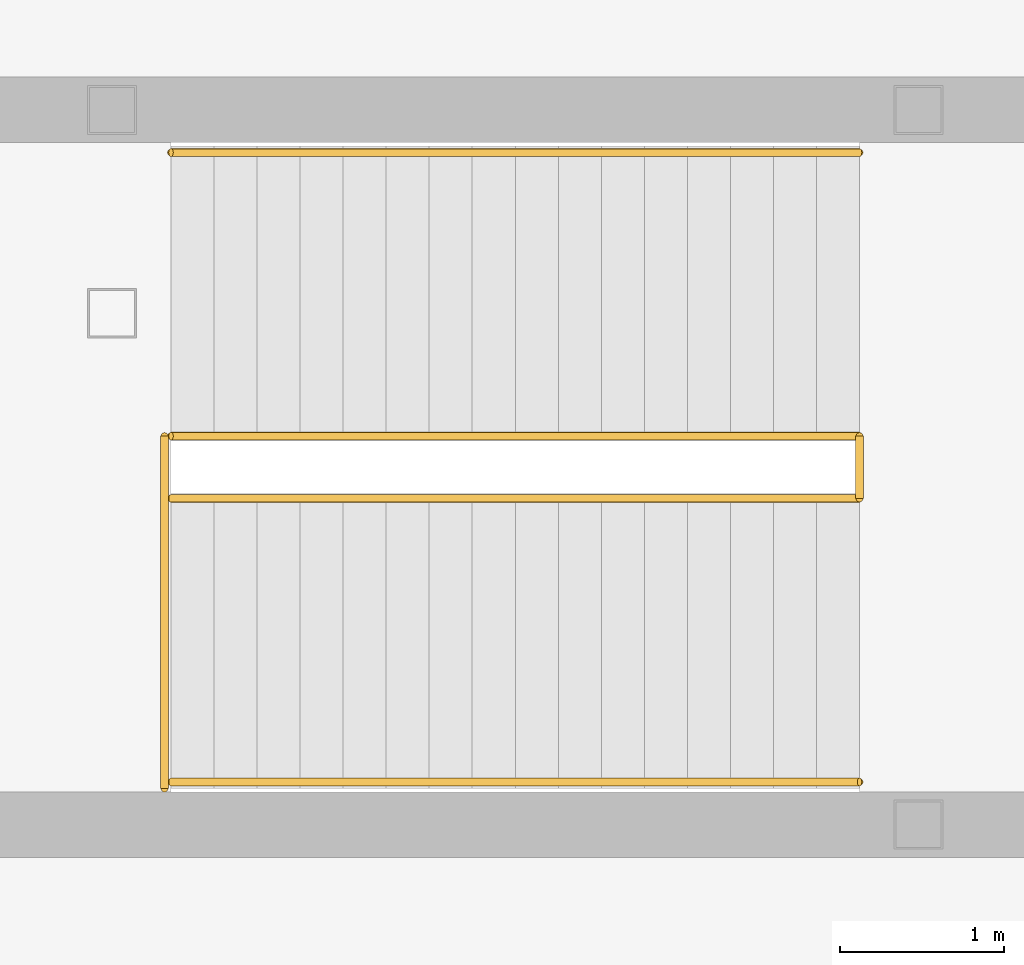
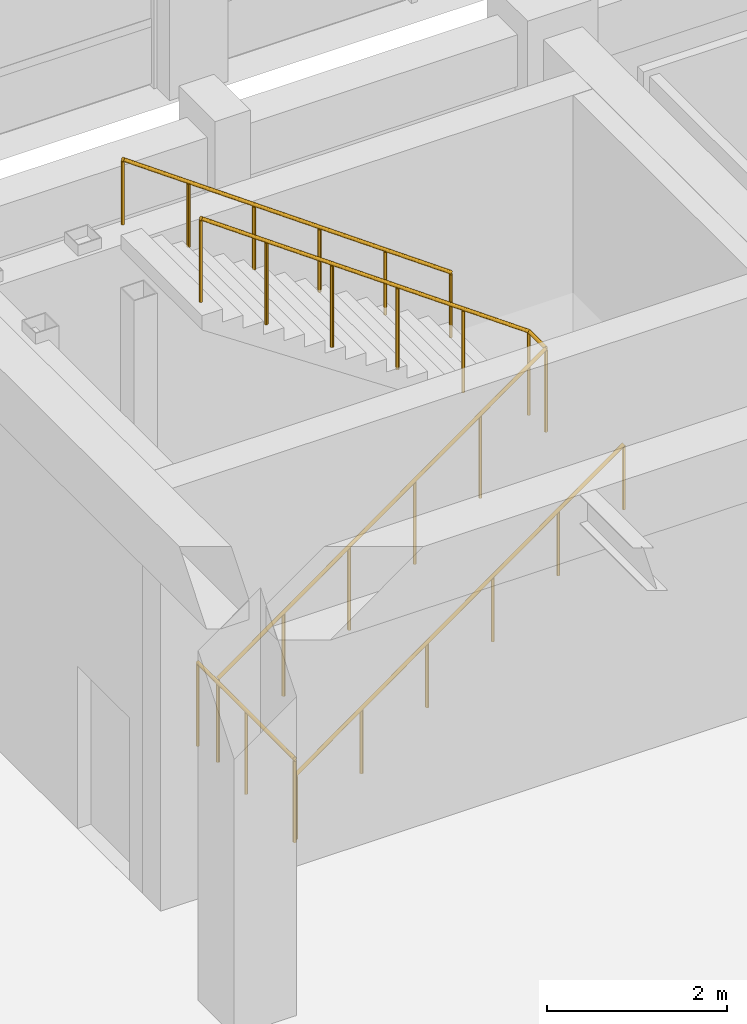
# One storey, part 68 of 76: 6 railings.
"""IFC4 building model written with IfcOpenShell, lengths in metres."""

import ifcopenshell
import ifcopenshell.guid

model = None  # the IFC model being written
_history = None  # IfcOwnerHistory: only IFC2X3 demands one
_inside = {}  # id of a spatial element -> (the spatial element, [elements in it])
_under = {}  # id of a project, library or spatial element -> (it, [spatial elements below it])
_declared = {}  # id of a project -> (the project, [libraries it declares])
_typed = {}  # id of a type object -> (the type object, [elements of that type])
_made_of = {}  # id of a material, layer set ... -> (it, [elements and type objects made of it])


def new_model(schema):
    """Start an empty IFC model of exactly this schema.

    Asked for "IFC4X3", IfcOpenShell would pick the latest addendum, in which some entities
    have other attributes; the version numbers below select the first issue.
    IFC2X3 requires an IfcOwnerHistory on every rooted entity: one is made here for all.
    """
    global model, _history
    if schema == "IFC4X3":
        model = ifcopenshell.file(schema_version=(4, 3, 0, 0))
    else:
        model = ifcopenshell.file(schema=schema)
    _inside.clear()
    _under.clear()
    _declared.clear()
    _typed.clear()
    _made_of.clear()
    _history = None
    if model.schema == "IFC2X3":
        org = make("IfcOrganization", Name="unknown")
        user = make(
            "IfcPersonAndOrganization",
            ThePerson=make("IfcPerson", FamilyName="unknown"),
            TheOrganization=org,
        )
        app = make(
            "IfcApplication",
            ApplicationDeveloper=org,
            Version="unknown",
            ApplicationFullName="unknown",
            ApplicationIdentifier="unknown",
        )
        _history = make(
            "IfcOwnerHistory",
            OwningUser=user,
            OwningApplication=app,
            ChangeAction="ADDED",
            CreationDate=0,
        )
    return model


def make(cls, **values):
    """One entity of the class cls with the attributes given. An attribute that is None is left unset."""
    return model.create_entity(
        cls, **{name: value for name, value in values.items() if value is not None}
    )


def rooted(cls, **values):
    """An entity with a GlobalId (a new one), such as an element, a storey or a relation."""
    return make(cls, GlobalId=ifcopenshell.guid.new(), OwnerHistory=_history, **values)


def si_unit(unit_type, name, prefix=None):
    """IfcSIUnit, for example si_unit("LENGTHUNIT", "METRE", prefix="MILLI")."""
    return make("IfcSIUnit", UnitType=unit_type, Prefix=prefix, Name=name)


def assignment(units):
    """IfcUnitAssignment: the units of a project."""
    return None if units is None else make("IfcUnitAssignment", Units=units)


def point(xyz):
    """IfcCartesianPoint."""
    return None if xyz is None else make("IfcCartesianPoint", Coordinates=xyz)


def direction(xyz):
    """IfcDirection."""
    return None if xyz is None else make("IfcDirection", DirectionRatios=xyz)


def frame(location, z_axis=None, x_axis=None):
    """IfcAxis2Placement3D, a coordinate frame: its origin and axes. An axis left out is left unset."""
    return make(
        "IfcAxis2Placement3D",
        Location=point(location),
        Axis=direction(z_axis),
        RefDirection=direction(x_axis),
    )


def frame_2d(location, x_axis=None):
    """IfcAxis2Placement2D, a coordinate frame in the plane: its origin and x axis."""
    return make(
        "IfcAxis2Placement2D", Location=point(location), RefDirection=direction(x_axis)
    )


def origin():
    """The frame at (0, 0, 0) with its axes left unset."""
    return frame((0.0, 0.0, 0.0))


def origin_2d():
    """The frame at (0, 0) in the plane with its x axis left unset."""
    return frame_2d((0.0, 0.0))


def place(relative_to, where):
    """IfcLocalPlacement: puts the frame where relative to a parent placement (None: the world)."""
    return make(
        "IfcLocalPlacement", PlacementRelTo=relative_to, RelativePlacement=where
    )


def context(
    kind, dimensions, precision=None, world=None, true_north=None, identifier=None
):
    """IfcGeometricRepresentationContext, for example the 3D "Model" context."""
    return make(
        "IfcGeometricRepresentationContext",
        ContextIdentifier=identifier,
        ContextType=kind,
        CoordinateSpaceDimension=dimensions,
        Precision=precision,
        WorldCoordinateSystem=world,
        TrueNorth=true_north,
    )


def subcontext(parent, identifier, kind, view, scale=None):
    """IfcGeometricRepresentationSubContext, for example "Body" below "Model"."""
    return make(
        "IfcGeometricRepresentationSubContext",
        ContextIdentifier=identifier,
        ContextType=kind,
        ParentContext=parent,
        TargetScale=scale,
        TargetView=view,
    )


def project(units=None, contexts=None):
    """IfcProject with its units and contexts."""
    return rooted(
        "IfcProject",
        Name="project",
        RepresentationContexts=contexts,
        UnitsInContext=assignment(units),
    )


def spatial(cls, under=None, at=None, **own):
    """A site, building, storey or space (cls), placed at a placement, below another one or the project."""
    s = rooted(cls, ObjectPlacement=at, **own)
    if under is not None:
        _under.setdefault(under.id(), (under, []))[1].append(s)
    return s


def profile(cls, at=None, kind="AREA", **sizes):
    """A parametric profile (cls). Its sizes go by their IFC names, for example OverallWidth=200.0."""
    return make(cls, ProfileType=kind, Position=at, **sizes)


def circle(**sizes):
    """IfcCircleProfileDef."""
    return profile("IfcCircleProfileDef", **sizes)


def extrude(swept, where, along, depth):
    """IfcExtrudedAreaSolid: the profile swept, set in the frame where, extruded along a direction by depth."""
    return make(
        "IfcExtrudedAreaSolid",
        SweptArea=swept,
        Position=where,
        ExtrudedDirection=direction(along),
        Depth=depth,
    )


def shape(context_of_items, identifier, shape_type, items):
    """IfcShapeRepresentation: the items that make up one representation, for example the "Body"."""
    return make(
        "IfcShapeRepresentation",
        ContextOfItems=context_of_items,
        RepresentationIdentifier=identifier,
        RepresentationType=shape_type,
        Items=items,
    )


def material(Name=None, Category=None):
    """IfcMaterial."""
    return make("IfcMaterial", Name=Name, Category=Category)


def layer(
    of_material, thickness, ventilated=None, Name=None, Category=None, Priority=None
):
    """IfcMaterialLayer: one layer of a wall or slab, of a material (None: an air gap)."""
    return make(
        "IfcMaterialLayer",
        Material=of_material,
        LayerThickness=thickness,
        IsVentilated=ventilated,
        Name=Name,
        Category=Category,
        Priority=Priority,
    )


def layer_set(layers, Name=None):
    """IfcMaterialLayerSet."""
    return make("IfcMaterialLayerSet", MaterialLayers=layers, LayerSetName=Name)


def made_of(thing, what):
    """Note that an element or type object is made of a material, layer set ...; save() writes the relation."""
    if what is not None:
        _made_of.setdefault(what.id(), (what, []))[1].append(thing)
    return thing


def type_object(cls, material=None, **own):
    """A type object (cls), such as IfcWallType, which elements share."""
    return made_of(rooted(cls, **own), material)


def element(
    cls,
    number,
    at=None,
    inside=None,
    cuts=None,
    type_object=None,
    material=None,
    context=None,
    identifier="Body",
    shape_type=None,
    held_by="IfcProductDefinitionShape",
    body=None,
    shapes=None,
    **own,
):
    """One element of the class cls, such as IfcWall. Its Tag is "e" and its number.

    at: its placement. inside: the storey or other place that contains it. cuts: it is an
    opening in that element (IfcRelVoidsElement). A single representation is given by context,
    identifier, shape_type and body (its items); several are given by shapes. held_by: the class
    of the entity that holds the representations. save() writes the other relations.
    """
    e = rooted(cls, Tag="e%d" % number, ObjectPlacement=at, **own)
    if body is not None:
        shapes = [shape(context, identifier, shape_type, body)]
    if shapes is not None:
        e.Representation = make(held_by, Representations=shapes)
    if inside is not None:
        _inside.setdefault(inside.id(), (inside, []))[1].append(e)
    if cuts is not None:
        rooted(
            "IfcRelVoidsElement", RelatingBuildingElement=cuts, RelatedOpeningElement=e
        )
    if type_object is not None:
        _typed.setdefault(type_object.id(), (type_object, []))[1].append(e)
    return made_of(e, material)


def aggregate(whole, parts):
    """IfcRelAggregates: a whole, such as a stair, and the parts it consists of."""
    return rooted("IfcRelAggregates", RelatingObject=whole, RelatedObjects=parts)


def save(model, path):
    """Write the relations noted so far, then the file.

    IfcRelAggregates (storeys below a building ...), IfcRelContainedInSpatialStructure (elements
    in a storey), IfcRelDefinesByType, IfcRelAssociatesMaterial and IfcRelDeclares: one each for
    every whole, place, type object, material and project.
    """
    for whole, parts in _under.values():
        aggregate(whole, parts)
    for where, things in _inside.values():
        rooted(
            "IfcRelContainedInSpatialStructure",
            RelatedElements=things,
            RelatingStructure=where,
        )
    for kind, things in _typed.values():
        rooted("IfcRelDefinesByType", RelatedObjects=things, RelatingType=kind)
    for what, things in _made_of.values():
        rooted("IfcRelAssociatesMaterial", RelatedObjects=things, RelatingMaterial=what)
    for by, libraries in _declared.values():
        rooted("IfcRelDeclares", RelatingContext=by, RelatedDefinitions=libraries)
    model.write(path)


model = new_model("IFC4")

# Units and contexts
model_context = context("Model", 3, precision=1e-05, world=origin(), true_north=direction((0.0, 1.0)))
body_context = subcontext(model_context, "Body", "Model", "MODEL_VIEW")
ifc_project = project(units=[si_unit("LENGTHUNIT", "METRE"), si_unit("AREAUNIT", "SQUARE_METRE"), si_unit("VOLUMEUNIT", "CUBIC_METRE"), si_unit("PLANEANGLEUNIT", "RADIAN"), si_unit("MASSUNIT", "GRAM", prefix="KILO")], contexts=[model_context])

# Site, building, storey
site_placement = place(None, origin())
site = spatial("IfcSite", under=ifc_project, at=site_placement, CompositionType="ELEMENT")
building_placement = place(site_placement, origin())
building = spatial("IfcBuilding", under=site, at=building_placement, Name="Naruveol Harbour Congress Hotel", CompositionType="ELEMENT")
storey_placement = place(building_placement, origin())
storey = spatial("IfcBuildingStorey", under=building, at=storey_placement, Name="L00", CompositionType="ELEMENT", Elevation=0.0)

# Railings
ifc_material_1 = material(Name="Stainless Steel 304", Category="steel")
ifc_layer_1 = layer(ifc_material_1, 0.0419921875)
ifc_layer_set_1 = layer_set([ifc_layer_1], Name="Stainless Steel 304")
railing_type_1 = type_object("IfcRailingType", Name="STAIR WALL MOUNTED HANDRAIL 900", PredefinedType="HANDRAIL", material=ifc_layer_set_1)
railing_1_placement = place(storey_placement, frame((18.89990234375, 50.56005859375, 0.0)))
element("IfcRailing", 1, at=railing_1_placement, inside=storey, type_object=railing_type_1, Name="Stair ST6 L00 lower wall handrail", PredefinedType="HANDRAIL", context=body_context, shape_type="SweptSolid", body=[
    extrude(circle(Radius=0.02392578125, at=origin_2d()), frame((0.0, 0.0, 0.8759765625), z_axis=(0.813746254747, 0.0, 0.581220296346), x_axis=(0.0, 1.0, 0.0)), (0.0, 0.0, 1.0), 5.16162109375),
    extrude(circle(Radius=0.02099609375, at=origin_2d()), origin(), (0.0, 0.0, 1.0), 0.851806640625),
    extrude(circle(Radius=0.02099609375, at=origin_2d()), frame((0.840087890625, 0.0, 0.60009765625)), (0.0, 0.0, 1.0), 0.851806640625),
    extrude(circle(Radius=0.02099609375, at=origin_2d()), frame((1.68017578125, 0.0, 1.199951171875)), (0.0, 0.0, 1.0), 0.851806640625),
    extrude(circle(Radius=0.02099609375, at=origin_2d()), frame((2.52001953125, 0.0, 1.800048828125)), (0.0, 0.0, 1.0), 0.851806640625),
    extrude(circle(Radius=0.02099609375, at=origin_2d()), frame((3.360107421875, 0.0, 2.39990234375)), (0.0, 0.0, 1.0), 0.851806640625),
    extrude(circle(Radius=0.02099609375, at=origin_2d()), frame((4.2001953125, 0.0, 3.0)), (0.0, 0.0, 1.0), 0.851806640625),
])
railing_2_placement = place(storey_placement, frame((23.10009765625, 54.39990234375, 3.0)))
element("IfcRailing", 2, at=railing_2_placement, inside=storey, type_object=railing_type_1, Name="Stair ST6 L00 upper wall handrail", PredefinedType="HANDRAIL", context=body_context, shape_type="SweptSolid", body=[
    extrude(circle(Radius=0.02392578125, at=origin_2d()), frame((0.0, 0.0, 0.8759765625), z_axis=(-0.813746254747, 0.0, 0.581220296346), x_axis=(0.0, -1.0, 0.0)), (0.0, 0.0, 1.0), 5.16162109375),
    extrude(circle(Radius=0.02099609375, at=origin_2d()), origin(), (0.0, 0.0, 1.0), 0.851806640625),
    extrude(circle(Radius=0.02099609375, at=origin_2d()), frame((-0.840087890625, 0.0, 0.60009765625)), (0.0, 0.0, 1.0), 0.851806640625),
    extrude(circle(Radius=0.02099609375, at=origin_2d()), frame((-1.68017578125, 0.0, 1.199951171875)), (0.0, 0.0, 1.0), 0.851806640625),
    extrude(circle(Radius=0.02099609375, at=origin_2d()), frame((-2.52001953125, 0.0, 1.800048828125)), (0.0, 0.0, 1.0), 0.851806640625),
    extrude(circle(Radius=0.02099609375, at=origin_2d()), frame((-3.360107421875, 0.0, 2.39990234375)), (0.0, 0.0, 1.0), 0.851806640625),
    extrude(circle(Radius=0.02099609375, at=origin_2d()), frame((-4.2001953125, 0.0, 3.0)), (0.0, 0.0, 1.0), 0.851806640625),
])
ifc_material_2 = material(Name="Steel SN490", Category="steel")
ifc_layer_2 = layer(ifc_material_2, 0.044921875)
ifc_layer_set_2 = layer_set([ifc_layer_2], Name="Steel SN490")
railing_type_2 = type_object("IfcRailingType", Name="STAIRWELL STEEL GUARDRAIL 1150", PredefinedType="GUARDRAIL", material=ifc_layer_set_2)
railing_3_placement = place(storey_placement, frame((18.89990234375, 52.2900390625, 0.0)))
element("IfcRailing", 3, at=railing_3_placement, inside=storey, type_object=railing_type_2, Name="Stair ST6 L00 lower well guard", PredefinedType="GUARDRAIL", context=body_context, shape_type="SweptSolid", body=[
    extrude(circle(Radius=0.02392578125, at=origin_2d()), frame((0.0, 0.0, 1.1259765625), z_axis=(0.813746254747, 0.0, 0.581220296346), x_axis=(0.0, 1.0, 0.0)), (0.0, 0.0, 1.0), 5.16162109375),
    extrude(circle(Radius=0.02099609375, at=origin_2d()), origin(), (0.0, 0.0, 1.0), 1.101806640625),
    extrude(circle(Radius=0.02099609375, at=origin_2d()), frame((0.840087890625, 0.0, 0.60009765625)), (0.0, 0.0, 1.0), 1.101806640625),
    extrude(circle(Radius=0.02099609375, at=origin_2d()), frame((1.68017578125, 0.0, 1.199951171875)), (0.0, 0.0, 1.0), 1.101806640625),
    extrude(circle(Radius=0.02099609375, at=origin_2d()), frame((2.52001953125, 0.0, 1.800048828125)), (0.0, 0.0, 1.0), 1.101806640625),
    extrude(circle(Radius=0.02099609375, at=origin_2d()), frame((3.360107421875, 0.0, 2.39990234375)), (0.0, 0.0, 1.0), 1.101806640625),
    extrude(circle(Radius=0.02099609375, at=origin_2d()), frame((4.2001953125, 0.0, 3.0)), (0.0, 0.0, 1.0), 1.101806640625),
])
railing_4_placement = place(storey_placement, frame((23.10009765625, 52.2900390625, 3.0)))
element("IfcRailing", 4, at=railing_4_placement, inside=storey, type_object=railing_type_2, Name="Stair ST6 L00 half-landing slot guard", PredefinedType="GUARDRAIL", context=body_context, shape_type="SweptSolid", body=[
    extrude(circle(Radius=0.02392578125, at=origin_2d()), frame((0.0, 0.0, 1.1259765625), z_axis=(0.0, 1.0, 0.0), x_axis=(-1.0, 0.0, 0.0)), (0.0, 0.0, 1.0), 0.3798828125),
    extrude(circle(Radius=0.02099609375, at=origin_2d()), origin(), (0.0, 0.0, 1.0), 1.101806640625),
    extrude(circle(Radius=0.02099609375, at=origin_2d()), frame((0.0, 0.3798828125, 0.0)), (0.0, 0.0, 1.0), 1.101806640625),
])
railing_5_placement = place(storey_placement, frame((23.10009765625, 52.669921875, 3.0)))
element("IfcRailing", 5, at=railing_5_placement, inside=storey, type_object=railing_type_2, Name="Stair ST6 L00 upper well guard", PredefinedType="GUARDRAIL", context=body_context, shape_type="SweptSolid", body=[
    extrude(circle(Radius=0.02392578125, at=origin_2d()), frame((0.0, 0.0, 1.1259765625), z_axis=(-0.813746254747, 0.0, 0.581220296346), x_axis=(0.0, -1.0, 0.0)), (0.0, 0.0, 1.0), 5.16162109375),
    extrude(circle(Radius=0.02099609375, at=origin_2d()), origin(), (0.0, 0.0, 1.0), 1.101806640625),
    extrude(circle(Radius=0.02099609375, at=origin_2d()), frame((-0.840087890625, 0.0, 0.60009765625)), (0.0, 0.0, 1.0), 1.101806640625),
    extrude(circle(Radius=0.02099609375, at=origin_2d()), frame((-1.68017578125, 0.0, 1.199951171875)), (0.0, 0.0, 1.0), 1.101806640625),
    extrude(circle(Radius=0.02099609375, at=origin_2d()), frame((-2.52001953125, 0.0, 1.800048828125)), (0.0, 0.0, 1.0), 1.101806640625),
    extrude(circle(Radius=0.02099609375, at=origin_2d()), frame((-3.360107421875, 0.0, 2.39990234375)), (0.0, 0.0, 1.0), 1.101806640625),
    extrude(circle(Radius=0.02099609375, at=origin_2d()), frame((-4.2001953125, 0.0, 3.0)), (0.0, 0.0, 1.0), 1.101806640625),
])
railing_6_placement = place(storey_placement, frame((18.860107421875, 50.52001953125, 0.0)))
element("IfcRailing", 6, at=railing_6_placement, inside=storey, type_object=railing_type_2, Name="Stair ST6 L00 landing well guard", PredefinedType="GUARDRAIL", context=body_context, shape_type="SweptSolid", body=[
    extrude(circle(Radius=0.02392578125, at=origin_2d()), frame((0.0, 0.0, 1.1259765625), z_axis=(0.0, 1.0, 0.0), x_axis=(-1.0, 0.0, 0.0)), (0.0, 0.0, 1.0), 2.14990234375),
    extrude(circle(Radius=0.02099609375, at=origin_2d()), origin(), (0.0, 0.0, 1.0), 1.101806640625),
    extrude(circle(Radius=0.02099609375, at=origin_2d()), frame((0.0, 1.074951171875, 0.0)), (0.0, 0.0, 1.0), 1.101806640625),
    extrude(circle(Radius=0.02099609375, at=origin_2d()), frame((0.0, 2.14990234375, 0.0)), (0.0, 0.0, 1.0), 1.101806640625),
])

save(model, "model.ifc")
